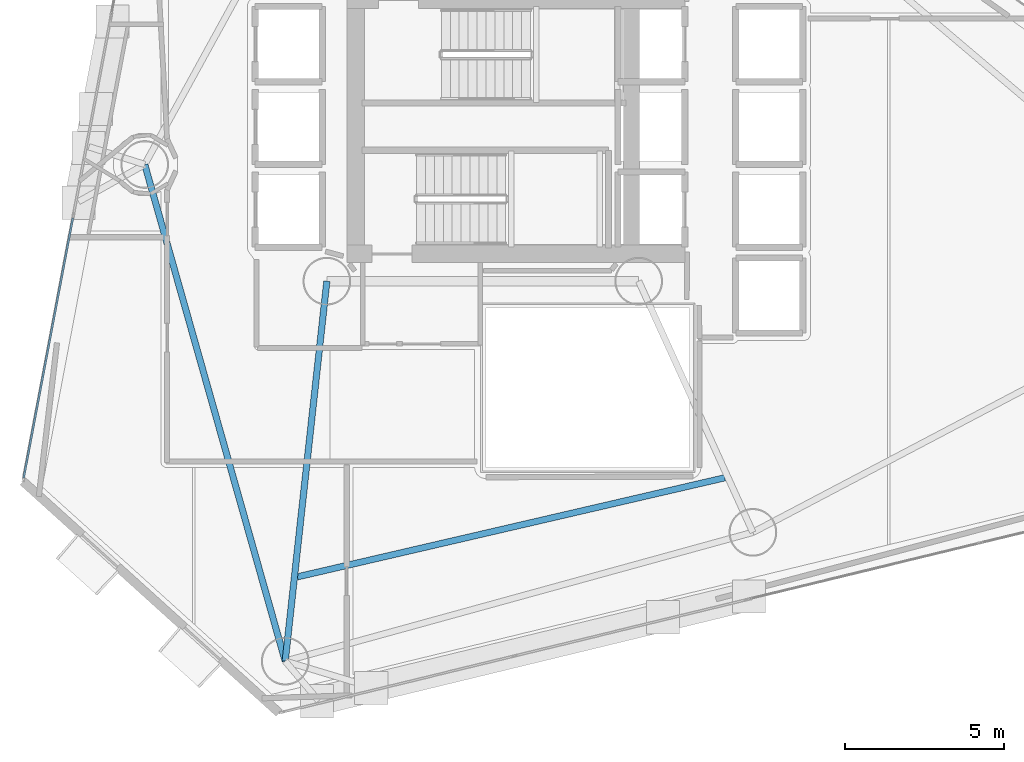
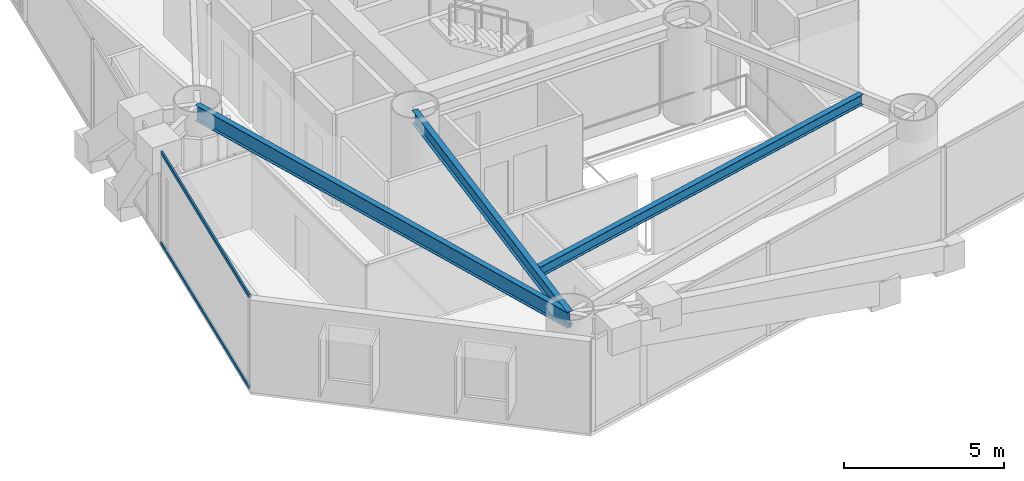
# One storey, part 4 of 24: 3 beams, 2 members, 1 element without a shape of its own.
"""IFC4 building model written with IfcOpenShell, lengths in metres."""

from ifc_helpers import new_model, si_unit, direction, frame, origin, origin_2d, place, context, subcontext, project, spatial, hollow_rectangle, i_section, extrude, material, layer, layer_set, material_profile, profile_set, type_object, element, aggregate, save


model = new_model("IFC4")

# Units and contexts
model_context = context("Model", 3, precision=1e-05, world=origin(), true_north=direction((0.0, 1.0)))
body_context = subcontext(model_context, "Body", "Model", "MODEL_VIEW")
ifc_project = project(units=[si_unit("LENGTHUNIT", "METRE"), si_unit("AREAUNIT", "SQUARE_METRE"), si_unit("VOLUMEUNIT", "CUBIC_METRE"), si_unit("PLANEANGLEUNIT", "RADIAN"), si_unit("MASSUNIT", "GRAM", prefix="KILO")], contexts=[model_context])

# Site, building, storey
site_placement = place(None, origin())
site = spatial("IfcSite", under=ifc_project, at=site_placement, CompositionType="ELEMENT")
building_placement = place(site_placement, origin())
building = spatial("IfcBuilding", under=site, at=building_placement, Name="Qianvela Tower", CompositionType="ELEMENT")
storey_placement = place(building_placement, frame((0.0, 0.0, 101.5)))
storey = spatial("IfcBuildingStorey", under=building, at=storey_placement, Name="L25", CompositionType="ELEMENT", Elevation=101.5)

# Beams
ifc_material_1 = material(Name="Steel Q355B", Category="steel")
ifc_material_profile_1 = material_profile(ifc_material_1, i_section(OverallWidth=0.199951171875, OverallDepth=0.39990234375, WebThickness=0.008056640625, FlangeThickness=0.012939453125, at=origin_2d()), Name="HN400x200x8x13")
ifc_profile_set_1 = profile_set([ifc_material_profile_1], Name="Steel Q355B")
beam_type_1 = type_object("IfcBeamType", Name="BM-HN400-JOIST", PredefinedType="JOIST", material=ifc_profile_set_1)
beam_1_placement = place(storey_placement, frame((27.67333984375, 14.5576171875, 3.318115234375), z_axis=(0.974157898668, 0.225868077567, 0.0), x_axis=(-0.225868077567, 0.974157898668, 0.0)))
element("IfcBeam", 1, at=beam_1_placement, inside=storey, type_object=beam_type_1, Name="L25 Secondary Composite Floor Joist 5.3", PredefinedType="JOIST", context=body_context, shape_type="SweptSolid", body=[
    extrude(i_section(OverallWidth=0.199951171875, OverallDepth=0.39990234375, WebThickness=0.008056640625, FlangeThickness=0.012939453125, at=origin_2d()), origin(), (0.0, 0.0, 1.0), 13.787841796875),
])
ifc_material_2 = material(Name="Steel Q355B", Category="steel")
ifc_material_profile_2 = material_profile(ifc_material_2, i_section(OverallWidth=0.199951171875, OverallDepth=0.5, WebThickness=0.010009765625, FlangeThickness=0.01611328125, at=origin_2d()), Name="HN500x200x10x16")
ifc_profile_set_2 = profile_set([ifc_material_profile_2], Name="Steel Q355B")
beam_type_2 = type_object("IfcBeamType", Name="BM-HN500-GIRD", PredefinedType="BEAM", material=ifc_profile_set_2)
beam_2_placement = place(storey_placement, frame((28.60009765625, 23.85009765625, 3.26806640625), z_axis=(-0.108894474914, -0.994053315136, 0.0), x_axis=(0.994053315136, -0.108894474914, 0.0)))
element("IfcBeam", 2, at=beam_2_placement, inside=storey, type_object=beam_type_2, Name="L25 Radial Primary Floor Girder 5", PredefinedType="BEAM", context=body_context, shape_type="SweptSolid", body=[
    extrude(i_section(OverallWidth=0.199951171875, OverallDepth=0.5, WebThickness=0.010009765625, FlangeThickness=0.01611328125, at=origin_2d()), origin(), (0.0, 0.0, 1.0), 12.0126953125),
])
ifc_material_3 = material(Name="Steel Q355B", Category="steel")
ifc_material_profile_3 = material_profile(ifc_material_3, i_section(OverallWidth=0.199951171875, OverallDepth=0.60009765625, WebThickness=0.010986328125, FlangeThickness=0.01708984375, at=origin_2d()), Name="HN600x200x11x17")
ifc_profile_set_3 = profile_set([ifc_material_profile_3], Name="Steel Q355B")
beam_type_3 = type_object("IfcBeamType", Name="BM-HN600-GIRD", PredefinedType="BEAM", material=ifc_profile_set_3)
beam_3_placement = place(storey_placement, frame((22.8779296875, 27.51611328125, 3.218017578125), z_axis=(0.272147602289, -0.962255518336, 0.0), x_axis=(0.962255518336, 0.272147602289, 0.0)))
element("IfcBeam", 3, at=beam_3_placement, inside=storey, type_object=beam_type_3, Name="L25 Perimeter Ring Spandrel Girder 4", PredefinedType="BEAM", context=body_context, shape_type="SweptSolid", body=[
    extrude(i_section(OverallWidth=0.199951171875, OverallDepth=0.60009765625, WebThickness=0.010986328125, FlangeThickness=0.01708984375, at=origin_2d()), origin(), (0.0, 0.0, 1.0), 16.219482421875),
])

# Curtain wall, members
ifc_material_4 = material(Name="Anodised Architectural Aluminium and Low-E Glass", Category="aluminium")
ifc_layer = layer(ifc_material_4, 0.169921875)
ifc_layer_set = layer_set([ifc_layer], Name="Anodised Architectural Aluminium and Low-E Glass")
curtain_wall_type = type_object("IfcCurtainWallType", Name="CW-COLIV-Z34", PredefinedType="USERDEFINED", material=ifc_layer_set)
curtain_wall_placement = place(storey_placement, origin())
curtain_wall = element("IfcCurtainWall", 4, at=curtain_wall_placement, inside=storey, type_object=curtain_wall_type, Name="L25 CW-COLIV-Z34 Curtain Wall 04C", ObjectType="CURTAIN_WALL_SYSTEM", PredefinedType="USERDEFINED")
ifc_material_5 = material(Name="Anodised Architectural Aluminium 6063-T6", Category="aluminium")
ifc_material_profile_4 = material_profile(ifc_material_5, hollow_rectangle(XDim=0.06494140625, YDim=0.1298828125, WallThickness=0.00439453125, at=origin_2d()), Name="ALU-TRAN-65x130")
ifc_profile_set_4 = profile_set([ifc_material_profile_4], Name="Anodised Architectural Aluminium 6063-T6")
member_type = type_object("IfcMemberType", Name="CW-COLIV-Z34-TRAN", PredefinedType="USERDEFINED", material=ifc_profile_set_4)
member_1_placement = place(storey_placement, frame((20.617919921875, 25.830810546875, 0.032470703125), z_axis=(-0.186005929278, -0.982548621837, 0.0), x_axis=(0.982548621837, -0.186005929278, 0.0)))
member_1 = element("IfcMember", 5, at=member_1_placement, type_object=member_type, Name="CW-4 transom 1.1", ObjectType="TRANSOM", PredefinedType="USERDEFINED", context=body_context, shape_type="SweptSolid", body=[
    extrude(hollow_rectangle(XDim=0.06494140625, YDim=0.1298828125, WallThickness=0.00439453125, at=origin_2d()), origin(), (0.0, 0.0, 1.0), 8.30712890625),
])
member_2_placement = place(storey_placement, frame((20.617919921875, 25.830810546875, 3.487548828125), z_axis=(-0.186005929278, -0.982548621837, 0.0), x_axis=(0.982548621837, -0.186005929278, 0.0)))
member_2 = element("IfcMember", 6, at=member_2_placement, type_object=member_type, Name="CW-4 transom 1.2", ObjectType="TRANSOM", PredefinedType="USERDEFINED", context=body_context, shape_type="SweptSolid", body=[
    extrude(hollow_rectangle(XDim=0.06494140625, YDim=0.1298828125, WallThickness=0.00439453125, at=origin_2d()), origin(), (0.0, 0.0, 1.0), 8.30712890625),
])
aggregate(curtain_wall, [member_1, member_2])

save(model, "model.ifc")
